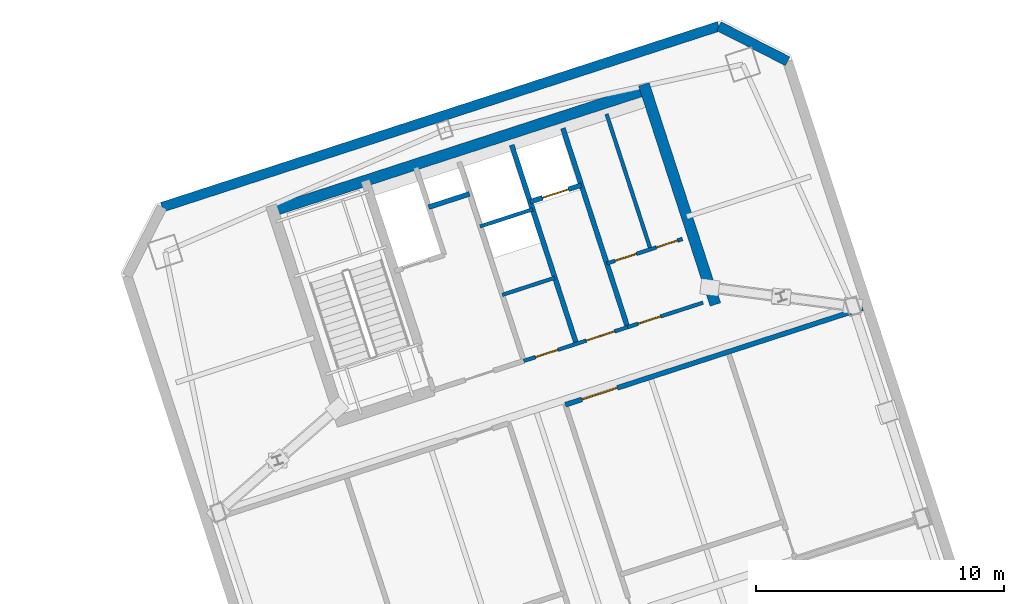
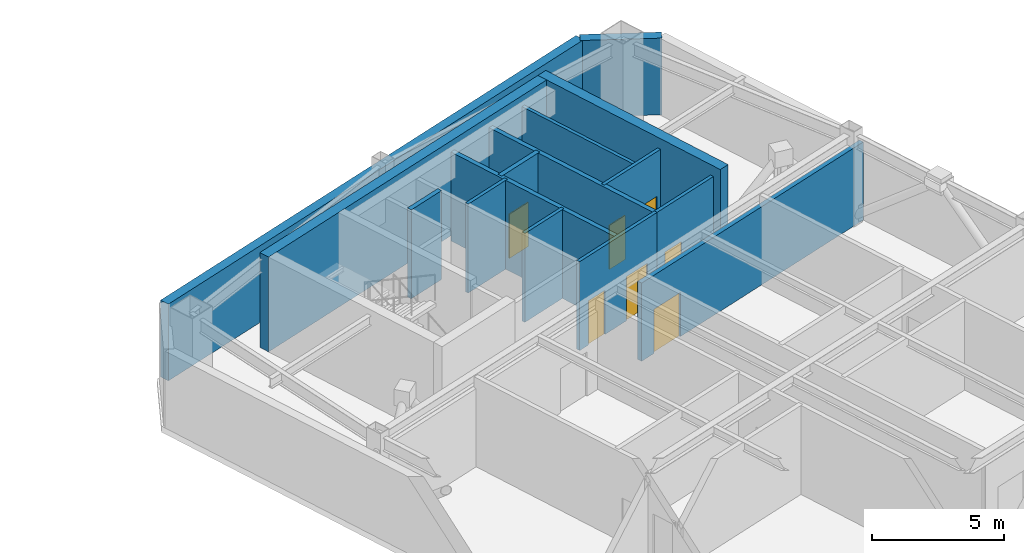
# One storey, part 14 of 17: 15 walls, 7 doors, 7 openings.
"""IFC4 building model written with IfcOpenShell, lengths in metres."""

import ifcopenshell
import ifcopenshell.guid

model = None  # the IFC model being written
_history = None  # IfcOwnerHistory: only IFC2X3 demands one
_inside = {}  # id of a spatial element -> (the spatial element, [elements in it])
_under = {}  # id of a project, library or spatial element -> (it, [spatial elements below it])
_declared = {}  # id of a project -> (the project, [libraries it declares])
_typed = {}  # id of a type object -> (the type object, [elements of that type])
_made_of = {}  # id of a material, layer set ... -> (it, [elements and type objects made of it])


def new_model(schema):
    """Start an empty IFC model of exactly this schema.

    Asked for "IFC4X3", IfcOpenShell would pick the latest addendum, in which some entities
    have other attributes; the version numbers below select the first issue.
    IFC2X3 requires an IfcOwnerHistory on every rooted entity: one is made here for all.
    """
    global model, _history
    if schema == "IFC4X3":
        model = ifcopenshell.file(schema_version=(4, 3, 0, 0))
    else:
        model = ifcopenshell.file(schema=schema)
    _inside.clear()
    _under.clear()
    _declared.clear()
    _typed.clear()
    _made_of.clear()
    _history = None
    if model.schema == "IFC2X3":
        org = make("IfcOrganization", Name="unknown")
        user = make(
            "IfcPersonAndOrganization",
            ThePerson=make("IfcPerson", FamilyName="unknown"),
            TheOrganization=org,
        )
        app = make(
            "IfcApplication",
            ApplicationDeveloper=org,
            Version="unknown",
            ApplicationFullName="unknown",
            ApplicationIdentifier="unknown",
        )
        _history = make(
            "IfcOwnerHistory",
            OwningUser=user,
            OwningApplication=app,
            ChangeAction="ADDED",
            CreationDate=0,
        )
    return model


def make(cls, **values):
    """One entity of the class cls with the attributes given. An attribute that is None is left unset."""
    return model.create_entity(
        cls, **{name: value for name, value in values.items() if value is not None}
    )


def rooted(cls, **values):
    """An entity with a GlobalId (a new one), such as an element, a storey or a relation."""
    return make(cls, GlobalId=ifcopenshell.guid.new(), OwnerHistory=_history, **values)


def si_unit(unit_type, name, prefix=None):
    """IfcSIUnit, for example si_unit("LENGTHUNIT", "METRE", prefix="MILLI")."""
    return make("IfcSIUnit", UnitType=unit_type, Prefix=prefix, Name=name)


def assignment(units):
    """IfcUnitAssignment: the units of a project."""
    return None if units is None else make("IfcUnitAssignment", Units=units)


def point(xyz):
    """IfcCartesianPoint."""
    return None if xyz is None else make("IfcCartesianPoint", Coordinates=xyz)


def direction(xyz):
    """IfcDirection."""
    return None if xyz is None else make("IfcDirection", DirectionRatios=xyz)


def frame(location, z_axis=None, x_axis=None):
    """IfcAxis2Placement3D, a coordinate frame: its origin and axes. An axis left out is left unset."""
    return make(
        "IfcAxis2Placement3D",
        Location=point(location),
        Axis=direction(z_axis),
        RefDirection=direction(x_axis),
    )


def frame_2d(location, x_axis=None):
    """IfcAxis2Placement2D, a coordinate frame in the plane: its origin and x axis."""
    return make(
        "IfcAxis2Placement2D", Location=point(location), RefDirection=direction(x_axis)
    )


def origin():
    """The frame at (0, 0, 0) with its axes left unset."""
    return frame((0.0, 0.0, 0.0))


def place(relative_to, where):
    """IfcLocalPlacement: puts the frame where relative to a parent placement (None: the world)."""
    return make(
        "IfcLocalPlacement", PlacementRelTo=relative_to, RelativePlacement=where
    )


def context(
    kind, dimensions, precision=None, world=None, true_north=None, identifier=None
):
    """IfcGeometricRepresentationContext, for example the 3D "Model" context."""
    return make(
        "IfcGeometricRepresentationContext",
        ContextIdentifier=identifier,
        ContextType=kind,
        CoordinateSpaceDimension=dimensions,
        Precision=precision,
        WorldCoordinateSystem=world,
        TrueNorth=true_north,
    )


def subcontext(parent, identifier, kind, view, scale=None):
    """IfcGeometricRepresentationSubContext, for example "Body" below "Model"."""
    return make(
        "IfcGeometricRepresentationSubContext",
        ContextIdentifier=identifier,
        ContextType=kind,
        ParentContext=parent,
        TargetScale=scale,
        TargetView=view,
    )


def project(units=None, contexts=None):
    """IfcProject with its units and contexts."""
    return rooted(
        "IfcProject",
        Name="project",
        RepresentationContexts=contexts,
        UnitsInContext=assignment(units),
    )


def spatial(cls, under=None, at=None, **own):
    """A site, building, storey or space (cls), placed at a placement, below another one or the project."""
    s = rooted(cls, ObjectPlacement=at, **own)
    if under is not None:
        _under.setdefault(under.id(), (under, []))[1].append(s)
    return s


def profile(cls, at=None, kind="AREA", **sizes):
    """A parametric profile (cls). Its sizes go by their IFC names, for example OverallWidth=200.0."""
    return make(cls, ProfileType=kind, Position=at, **sizes)


def rectangle(**sizes):
    """IfcRectangleProfileDef."""
    return profile("IfcRectangleProfileDef", **sizes)


def extrude(swept, where, along, depth):
    """IfcExtrudedAreaSolid: the profile swept, set in the frame where, extruded along a direction by depth."""
    return make(
        "IfcExtrudedAreaSolid",
        SweptArea=swept,
        Position=where,
        ExtrudedDirection=direction(along),
        Depth=depth,
    )


def shape(context_of_items, identifier, shape_type, items):
    """IfcShapeRepresentation: the items that make up one representation, for example the "Body"."""
    return make(
        "IfcShapeRepresentation",
        ContextOfItems=context_of_items,
        RepresentationIdentifier=identifier,
        RepresentationType=shape_type,
        Items=items,
    )


def material(Name=None, Category=None):
    """IfcMaterial."""
    return make("IfcMaterial", Name=Name, Category=Category)


def layer(
    of_material, thickness, ventilated=None, Name=None, Category=None, Priority=None
):
    """IfcMaterialLayer: one layer of a wall or slab, of a material (None: an air gap)."""
    return make(
        "IfcMaterialLayer",
        Material=of_material,
        LayerThickness=thickness,
        IsVentilated=ventilated,
        Name=Name,
        Category=Category,
        Priority=Priority,
    )


def layer_set(layers, Name=None):
    """IfcMaterialLayerSet."""
    return make("IfcMaterialLayerSet", MaterialLayers=layers, LayerSetName=Name)


def made_of(thing, what):
    """Note that an element or type object is made of a material, layer set ...; save() writes the relation."""
    if what is not None:
        _made_of.setdefault(what.id(), (what, []))[1].append(thing)
    return thing


def type_object(cls, material=None, **own):
    """A type object (cls), such as IfcWallType, which elements share."""
    return made_of(rooted(cls, **own), material)


def element(
    cls,
    number,
    at=None,
    inside=None,
    cuts=None,
    type_object=None,
    material=None,
    context=None,
    identifier="Body",
    shape_type=None,
    held_by="IfcProductDefinitionShape",
    body=None,
    shapes=None,
    **own,
):
    """One element of the class cls, such as IfcWall. Its Tag is "e" and its number.

    at: its placement. inside: the storey or other place that contains it. cuts: it is an
    opening in that element (IfcRelVoidsElement). A single representation is given by context,
    identifier, shape_type and body (its items); several are given by shapes. held_by: the class
    of the entity that holds the representations. save() writes the other relations.
    """
    e = rooted(cls, Tag="e%d" % number, ObjectPlacement=at, **own)
    if body is not None:
        shapes = [shape(context, identifier, shape_type, body)]
    if shapes is not None:
        e.Representation = make(held_by, Representations=shapes)
    if inside is not None:
        _inside.setdefault(inside.id(), (inside, []))[1].append(e)
    if cuts is not None:
        rooted(
            "IfcRelVoidsElement", RelatingBuildingElement=cuts, RelatedOpeningElement=e
        )
    if type_object is not None:
        _typed.setdefault(type_object.id(), (type_object, []))[1].append(e)
    return made_of(e, material)


def fill(opening, filler):
    """IfcRelFillsElement: the door or window that sits in an opening."""
    return rooted(
        "IfcRelFillsElement",
        RelatingOpeningElement=opening,
        RelatedBuildingElement=filler,
    )


def aggregate(whole, parts):
    """IfcRelAggregates: a whole, such as a stair, and the parts it consists of."""
    return rooted("IfcRelAggregates", RelatingObject=whole, RelatedObjects=parts)


def save(model, path):
    """Write the relations noted so far, then the file.

    IfcRelAggregates (storeys below a building ...), IfcRelContainedInSpatialStructure (elements
    in a storey), IfcRelDefinesByType, IfcRelAssociatesMaterial and IfcRelDeclares: one each for
    every whole, place, type object, material and project.
    """
    for whole, parts in _under.values():
        aggregate(whole, parts)
    for where, things in _inside.values():
        rooted(
            "IfcRelContainedInSpatialStructure",
            RelatedElements=things,
            RelatingStructure=where,
        )
    for kind, things in _typed.values():
        rooted("IfcRelDefinesByType", RelatedObjects=things, RelatingType=kind)
    for what, things in _made_of.values():
        rooted("IfcRelAssociatesMaterial", RelatedObjects=things, RelatingMaterial=what)
    for by, libraries in _declared.values():
        rooted("IfcRelDeclares", RelatingContext=by, RelatedDefinitions=libraries)
    model.write(path)


model = new_model("IFC4")

# Units and contexts
model_context = context("Model", 3, precision=1e-05, world=origin(), true_north=direction((0.0, 1.0)))
body_context = subcontext(model_context, "Body", "Model", "MODEL_VIEW")
ifc_project = project(units=[si_unit("LENGTHUNIT", "METRE"), si_unit("AREAUNIT", "SQUARE_METRE"), si_unit("VOLUMEUNIT", "CUBIC_METRE"), si_unit("PLANEANGLEUNIT", "RADIAN"), si_unit("MASSUNIT", "GRAM", prefix="KILO")], contexts=[model_context])

# Site, building, storey
site_placement = place(None, origin())
site = spatial("IfcSite", under=ifc_project, at=site_placement, CompositionType="ELEMENT")
building_placement = place(site_placement, origin())
building = spatial("IfcBuilding", under=site, at=building_placement, Name="Qiaolan Cultural Towers", CompositionType="ELEMENT")
storey_placement = place(building_placement, frame((0.0, 0.0, 230.0)))
storey = spatial("IfcBuildingStorey", under=building, at=storey_placement, Name="L62", CompositionType="ELEMENT", Elevation=230.0)

# Walls
ifc_material_1 = material(Name="Concrete C50", Category="concrete")
ifc_layer_1 = layer(ifc_material_1, 0.449951171875)
ifc_layer_set_1 = layer_set([ifc_layer_1], Name="Concrete C50")
wall_type_1 = type_object("IfcWallType", Name="WL-CORE-450", PredefinedType="SHEAR", material=ifc_layer_set_1)
wall_1_placement = place(storey_placement, frame((76.414794921875, 50.489013671875, 0.0), z_axis=(0.0, 0.0, 1.0), x_axis=(0.951056810414, 0.309016089169, 0.0)))
element("IfcWall", 1, at=wall_1_placement, inside=storey, type_object=wall_type_1, Name="L62 T2-CN Outer Core Shear Wall", PredefinedType="SHEAR", context=body_context, shape_type="SweptSolid", body=[
    extrude(rectangle(XDim=16.25, YDim=0.449951171875, at=frame_2d((8.125, 0.0))), origin(), (0.0, 0.0, 1.0), 4.39990234375),
])
wall_2_placement = place(storey_placement, frame((94.468994140625, 46.781494140625, 0.0), z_axis=(0.0, 0.0, 1.0), x_axis=(-0.309004419953, 0.951060601881, 0.0)))
element("IfcWall", 2, at=wall_2_placement, inside=storey, type_object=wall_type_1, Name="L62 T2-CN East Core Shear Wall", PredefinedType="SHEAR", context=body_context, shape_type="SweptSolid", body=[
    extrude(rectangle(XDim=9.330078125, YDim=0.449951171875, at=frame_2d((4.6650390625, 0.0))), origin(), (0.0, 0.0, 1.0), 4.39990234375),
])
ifc_material_2 = material(Name="Precast Concrete C50 Honed Stone Pier", Category="masonry")
ifc_layer_2 = layer(ifc_material_2, 0.39990234375)
ifc_layer_set_2 = layer_set([ifc_layer_2], Name="Precast Concrete C50 Honed Stone Pier")
wall_type_2 = type_object("IfcWallType", Name="WL-EXT-PIER-400", PredefinedType="SOLIDWALL", material=ifc_layer_set_2)
wall_3_placement = place(storey_placement, frame((72.16455078125, 50.706298828125, 0.0), z_axis=(0.0, 0.0, 1.0), x_axis=(0.951058012937, 0.309012388148, 0.0)))
element("IfcWall", 3, at=wall_3_placement, inside=storey, type_object=wall_type_2, Name="L62 East Tower Precast Pier Facade Wall F3", PredefinedType="SOLIDWALL", context=body_context, shape_type="SweptSolid", body=[
    extrude(rectangle(XDim=23.60009765625, YDim=0.39990234375, at=frame_2d((11.800048828125, 0.0))), origin(), (0.0, 0.0, 1.0), 3.56005859375),
])
wall_4_placement = place(storey_placement, frame((94.609619140625, 57.9990234375, 0.0), z_axis=(0.0, 0.0, 1.0), x_axis=(0.890979603174, -0.454043331334, 0.0)))
element("IfcWall", 4, at=wall_4_placement, inside=storey, type_object=wall_type_2, Name="L62 East Tower Precast Pier Facade Wall F4", PredefinedType="SOLIDWALL", context=body_context, shape_type="SweptSolid", body=[
    extrude(rectangle(XDim=3.111083984375, YDim=0.39990234375, at=frame_2d((1.5556640625, 0.0))), origin(), (0.0, 0.0, 1.0), 3.56005859375),
])
ifc_material_3 = material(Name="Concrete C35 Fire Wall", Category="concrete")
ifc_layer_3 = layer(ifc_material_3, 0.199951171875)
ifc_layer_set_3 = layer_set([ifc_layer_3], Name="Concrete C35 Fire Wall")
wall_type_3 = type_object("IfcWallType", Name="WL-FIRE-200", PredefinedType="PARTITIONING", material=ifc_layer_set_3)
wall_5_placement = place(storey_placement, frame((82.910400390625, 50.706787109375, 0.0), z_axis=(0.0, 0.0, 1.0), x_axis=(0.951041328149, 0.309063734775, 0.0)))
element("IfcWall", 5, at=wall_5_placement, inside=storey, type_object=wall_type_3, Name="L62 T2-CN Pressurization Shaft Front Wall", PredefinedType="PARTITIONING", context=body_context, shape_type="SweptSolid", body=[
    extrude(rectangle(XDim=1.72998046875, YDim=0.199951171875, at=frame_2d((0.864990234375, 0.0))), origin(), (0.0, 0.0, 1.0), 4.125),
])
wall_6_placement = place(storey_placement, frame((90.92822265625, 45.86767578125, 0.0), z_axis=(0.0, 0.0, 1.0), x_axis=(-0.309042196757, 0.951048327176, 0.0)))
element("IfcWall", 6, at=wall_6_placement, inside=storey, type_object=wall_type_3, Name="L62 T2-CN Lift Core East Wall", PredefinedType="PARTITIONING", context=body_context, shape_type="SweptSolid", body=[
    extrude(rectangle(XDim=8.429931640625, YDim=0.199951171875, at=frame_2d((4.21484375, 0.0))), origin(), (0.0, 0.0, 1.0), 4.125),
])
wall_7_placement = place(storey_placement, frame((88.8642578125, 45.197021484375, 0.0), z_axis=(0.0, 0.0, 1.0), x_axis=(-0.309007490203, 0.951059604335, 0.0)))
element("IfcWall", 7, at=wall_7_placement, inside=storey, type_object=wall_type_3, Name="L62 T2-CN Sky Shuttle Lift Zone Wall", PredefinedType="PARTITIONING", context=body_context, shape_type="SweptSolid", body=[
    extrude(rectangle(XDim=8.43017578125, YDim=0.199951171875, at=frame_2d((4.215087890625, 0.0))), origin(), (0.0, 0.0, 1.0), 4.125),
])

# Wall, opening, door
wall_8_placement = place(storey_placement, frame((87.004150390625, 50.92236328125, 0.0), z_axis=(0.0, 0.0, 1.0), x_axis=(0.951041509718, 0.309063176055, 0.0)))
wall_8 = element("IfcWall", 8, at=wall_8_placement, inside=storey, type_object=wall_type_3, Name="L62 T2-CN Shuttle Lift Shaft Front", PredefinedType="PARTITIONING", context=body_context, shape_type="SweptSolid", body=[
    extrude(rectangle(XDim=2.169921875, YDim=0.199951171875, at=frame_2d((1.0849609375, 0.0))), origin(), (0.0, 0.0, 1.0), 4.125),
])
opening_1_placement = place(wall_8_placement, frame((0.52001953125, 0.0, 0.0)))
opening_1 = element("IfcOpeningElement", 9, at=opening_1_placement, cuts=wall_8, Name="Opening LD-01", PredefinedType="OPENING", context=body_context, shape_type="SweptSolid", body=[
    extrude(rectangle(XDim=1.10009765625, YDim=2.050048828125, at=frame_2d((0.550048828125, 1.02490234375))), frame((0.0, 0.10986328125, 0.0), z_axis=(0.0, -1.0, 0.0), x_axis=(1.0, 0.0, 0.0)), (0.0, 0.0, 1.0), 0.219970703125),
])
ifc_material_4 = material(Name="Brushed Stainless Steel S30408 Centre-Parting Lift Landing Door", Category="steel")
door_type_1 = type_object("IfcDoorType", Name="DR-LIFT-1100", OperationType="NOTDEFINED", PredefinedType="DOOR", material=ifc_material_4)
door_1_placement = place(opening_1_placement, origin())
door_1 = element("IfcDoor", 10, at=door_1_placement, inside=storey, type_object=door_type_1, Name="L62 Sky Shuttle Lift Landing Door", OperationType="DOUBLE_DOOR_SLIDING", OverallHeight=2.050048828125, OverallWidth=1.10009765625, PredefinedType="DOOR", context=body_context, shape_type="SweptSolid", body=[
    extrude(rectangle(XDim=1.10009765625, YDim=2.050048828125, at=frame_2d((0.550048828125, 1.02490234375))), frame((0.0, 0.02490234375, 0.0), z_axis=(0.0, -1.0, 0.0), x_axis=(1.0, 0.0, 0.0)), (0.0, 0.0, 1.0), 0.050048828125),
])
fill(opening_1, door_1)

wall_9_placement = place(storey_placement, frame((88.421875, 42.740234375, 0.0), z_axis=(0.0, 0.0, 1.0), x_axis=(0.951058557014, 0.309010713619, 0.0)))
wall_9 = element("IfcWall", 11, at=wall_9_placement, inside=storey, type_object=wall_type_3, Name="L62 T2 Fire Rated Plant/Refuge Wall NBE", PredefinedType="PARTITIONING", context=body_context, shape_type="SweptSolid", body=[
    extrude(rectangle(XDim=12.60009765625, YDim=0.199951171875, at=frame_2d((6.300048828125, 0.0))), origin(), (0.0, 0.0, 1.0), 3.626953125),
])
opening_2_placement = place(wall_9_placement, frame((0.699951171875, 0.0, 0.0)))
opening_2 = element("IfcOpeningElement", 12, at=opening_2_placement, cuts=wall_9, Name="Opening FD-02", PredefinedType="OPENING", context=body_context, shape_type="SweptSolid", body=[
    extrude(rectangle(XDim=1.5, YDim=2.050048828125, at=frame_2d((0.75, 1.02490234375))), frame((0.0, 0.10986328125, 0.0), z_axis=(0.0, -1.0, 0.0), x_axis=(1.0, 0.0, 0.0)), (0.0, 0.0, 1.0), 0.219970703125),
])
ifc_material_5 = material(Name="Galvanized Steel Double Fire Door", Category="steel")
door_type_2 = type_object("IfcDoorType", Name="DR-FD90-1500", OperationType="NOTDEFINED", PredefinedType="DOOR", material=ifc_material_5)
door_2_placement = place(opening_2_placement, origin())
door_2 = element("IfcDoor", 13, at=door_2_placement, inside=storey, type_object=door_type_2, Name="L62 T2 East North Refuge Fire Door", OperationType="SINGLE_SWING_RIGHT", OverallHeight=2.050048828125, OverallWidth=1.5, PredefinedType="DOOR", context=body_context, shape_type="SweptSolid", body=[
    extrude(rectangle(XDim=1.5, YDim=2.050048828125, at=frame_2d((0.75, 1.02490234375))), frame((0.0, 0.02490234375, 0.0), z_axis=(0.0, -1.0, 0.0), x_axis=(1.0, 0.0, 0.0)), (0.0, 0.0, 1.0), 0.050048828125),
])
fill(opening_2, door_2)

# Wall, openings, doors
ifc_material_6 = material(Name="Autoclaved Aerated Concrete Block B06", Category="concrete")
ifc_layer_4 = layer(ifc_material_6, 0.14990234375)
ifc_layer_set_4 = layer_set([ifc_layer_4], Name="Autoclaved Aerated Concrete Block B06")
wall_type_4 = type_object("IfcWallType", Name="WL-PART-150", PredefinedType="PARTITIONING", material=ifc_layer_set_4)
wall_10_placement = place(storey_placement, frame((86.743408203125, 44.508056640625, 0.0), z_axis=(0.0, 0.0, 1.0), x_axis=(0.951063829732, 0.308994485023, 0.0)))
wall_10 = element("IfcWall", 14, at=wall_10_placement, inside=storey, type_object=wall_type_4, Name="L62 T2-CN High-Zone Lift Lobby Wall", PredefinedType="PARTITIONING", context=body_context, shape_type="SweptSolid", body=[
    extrude(rectangle(XDim=4.400146484375, YDim=0.14990234375, at=frame_2d((2.2001953125, 0.0))), origin(), (0.0, 0.0, 1.0), 4.125),
])
opening_3_placement = place(wall_10_placement, frame((0.5, 0.0, 0.0)))
opening_3 = element("IfcOpeningElement", 15, at=opening_3_placement, cuts=wall_10, Name="Opening ID-05", PredefinedType="OPENING", context=body_context, shape_type="SweptSolid", body=[
    extrude(rectangle(XDim=0.949951171875, YDim=2.050048828125, at=frame_2d((0.47509765625, 1.02490234375))), frame((0.0, 0.0849609375, 0.0), z_axis=(0.0, -1.0, 0.0), x_axis=(1.0, 0.0, 0.0)), (0.0, 0.0, 1.0), 0.169921875),
])
opening_4_placement = place(wall_10_placement, frame((2.64990234375, 0.0, 0.0)))
opening_4 = element("IfcOpeningElement", 16, at=opening_4_placement, cuts=wall_10, Name="Opening FD-06", PredefinedType="OPENING", context=body_context, shape_type="SweptSolid", body=[
    extrude(rectangle(XDim=1.199951171875, YDim=2.050048828125, at=frame_2d((0.60009765625, 1.02490234375))), frame((0.0, 0.0849609375, 0.0), z_axis=(0.0, -1.0, 0.0), x_axis=(1.0, 0.0, 0.0)), (0.0, 0.0, 1.0), 0.169921875),
])
ifc_material_7 = material(Name="Painted Steel Plant Fire Door", Category="steel")
door_type_3 = type_object("IfcDoorType", Name="DR-FD60-1200", OperationType="NOTDEFINED", PredefinedType="DOOR", material=ifc_material_7)
door_3_placement = place(opening_4_placement, origin())
door_3 = element("IfcDoor", 17, at=door_3_placement, inside=storey, type_object=door_type_3, Name="L62 Sky Shuttle Lift Lobby Door", OperationType="SINGLE_SWING_RIGHT", OverallHeight=2.050048828125, OverallWidth=1.199951171875, PredefinedType="DOOR", context=body_context, shape_type="SweptSolid", body=[
    extrude(rectangle(XDim=1.199951171875, YDim=2.050048828125, at=frame_2d((0.60009765625, 1.02490234375))), frame((0.0, 0.02490234375, 0.0), z_axis=(0.0, -1.0, 0.0), x_axis=(1.0, 0.0, 0.0)), (0.0, 0.0, 1.0), 0.050048828125),
])
fill(opening_4, door_3)
ifc_material_8 = material(Name="Fire-Rated Laminate Accessible Core Door", Category="timber")
door_type_4 = type_object("IfcDoorType", Name="DR-INT-950", OperationType="NOTDEFINED", PredefinedType="DOOR", material=ifc_material_8)
door_4_placement = place(opening_3_placement, origin())
door_4 = element("IfcDoor", 18, at=door_4_placement, inside=storey, type_object=door_type_4, Name="L62 Reclaimed Server Room Door", OperationType="SINGLE_SWING_LEFT", OverallHeight=2.050048828125, OverallWidth=0.949951171875, PredefinedType="DOOR", context=body_context, shape_type="SweptSolid", body=[
    extrude(rectangle(XDim=0.949951171875, YDim=2.050048828125, at=frame_2d((0.47509765625, 1.02490234375))), frame((0.0, 0.02490234375, 0.0), z_axis=(0.0, -1.0, 0.0), x_axis=(1.0, 0.0, 0.0)), (0.0, 0.0, 1.0), 0.050048828125),
])
fill(opening_3, door_4)

# Walls
for number, where, z_axis, x_axis, name in (
    (19, (85.878173828125, 47.1708984375, 0.0), (0.0, 0.0, 1.0), (0.951042918244, 0.309058841741, 0.0), "L62 T2-CN High-Zone Reclaimed Split 1"),
    (20, (84.982177734375, 49.928955078125, 0.0), (0.0, 0.0, 1.0), (0.951042918244, 0.309058841741, 0.0), "L62 T2-CN High-Zone Reclaimed Split 2"),
):
    element("IfcWall", number, at=place(storey_placement, frame(where, z_axis=z_axis, x_axis=x_axis)), inside=storey, type_object=wall_type_4, Name=name, PredefinedType="PARTITIONING", context=body_context, shape_type="SweptSolid", body=[
        extrude(rectangle(XDim=2.22998046875, YDim=0.14990234375, at=frame_2d((1.114990234375, 0.0))), origin(), (0.0, 0.0, 1.0), 4.125),
    ])

# Wall, opening, door
wall_11_placement = place(storey_placement, frame((90.92822265625, 45.86767578125, 0.0), z_axis=(0.0, 0.0, 1.0), x_axis=(0.951059297078, 0.309008435874, 0.0)))
wall_11 = element("IfcWall", 21, at=wall_11_placement, inside=storey, type_object=wall_type_4, Name="L62 T2-CN Sanitary Core Front Wall", PredefinedType="PARTITIONING", context=body_context, shape_type="SweptSolid", body=[
    extrude(rectangle(XDim=3.19970703125, YDim=0.14990234375, at=frame_2d((1.599853515625, 0.0))), origin(), (0.0, 0.0, 1.0), 4.125),
])
opening_5_placement = place(wall_11_placement, frame((0.449951171875, 0.0, 0.0)))
opening_5 = element("IfcOpeningElement", 22, at=opening_5_placement, cuts=wall_11, Name="Opening ID-05", PredefinedType="OPENING", context=body_context, shape_type="SweptSolid", body=[
    extrude(rectangle(XDim=0.949951171875, YDim=2.050048828125, at=frame_2d((0.47509765625, 1.02490234375))), frame((0.0, 0.0849609375, 0.0), z_axis=(0.0, -1.0, 0.0), x_axis=(1.0, 0.0, 0.0)), (0.0, 0.0, 1.0), 0.169921875),
])
door_5_placement = place(opening_5_placement, origin())
door_5 = element("IfcDoor", 23, at=door_5_placement, inside=storey, type_object=door_type_4, Name="L62 Sanitary Vestibule Door", OperationType="SINGLE_SWING_LEFT", OverallHeight=2.050048828125, OverallWidth=0.949951171875, PredefinedType="DOOR", context=body_context, shape_type="SweptSolid", body=[
    extrude(rectangle(XDim=0.949951171875, YDim=2.050048828125, at=frame_2d((0.47509765625, 1.02490234375))), frame((0.0, 0.02490234375, 0.0), z_axis=(0.0, -1.0, 0.0), x_axis=(1.0, 0.0, 0.0)), (0.0, 0.0, 1.0), 0.050048828125),
])
fill(opening_5, door_5)

# Wall, openings, doors
wall_12_placement = place(storey_placement, frame((90.09375, 48.435546875, 0.0), z_axis=(0.0, 0.0, 1.0), x_axis=(0.951066581729, 0.308986014439, 0.0)))
wall_12 = element("IfcWall", 24, at=wall_12_placement, inside=storey, type_object=wall_type_4, Name="L62 T2-CN Restroom Vestibule Wall", PredefinedType="PARTITIONING", context=body_context, shape_type="SweptSolid", body=[
    extrude(rectangle(XDim=3.199951171875, YDim=0.14990234375, at=frame_2d((1.60009765625, 0.0))), origin(), (0.0, 0.0, 1.0), 4.125),
])
opening_6_placement = place(wall_12_placement, frame((0.35009765625, 0.0, 0.0)))
opening_6 = element("IfcOpeningElement", 25, at=opening_6_placement, cuts=wall_12, Name="Opening ID-06", PredefinedType="OPENING", context=body_context, shape_type="SweptSolid", body=[
    extrude(rectangle(XDim=0.89990234375, YDim=2.050048828125, at=frame_2d((0.449951171875, 1.02490234375))), frame((0.0, 0.0849609375, 0.0), z_axis=(0.0, -1.0, 0.0), x_axis=(1.0, 0.0, 0.0)), (0.0, 0.0, 1.0), 0.169921875),
])
opening_7_placement = place(wall_12_placement, frame((2.10009765625, 0.0, 0.0)))
opening_7 = element("IfcOpeningElement", 26, at=opening_7_placement, cuts=wall_12, Name="Opening ID-06", PredefinedType="OPENING", context=body_context, shape_type="SweptSolid", body=[
    extrude(rectangle(XDim=0.89990234375, YDim=2.050048828125, at=frame_2d((0.449951171875, 1.02490234375))), frame((0.0, 0.0849609375, 0.0), z_axis=(0.0, -1.0, 0.0), x_axis=(1.0, 0.0, 0.0)), (0.0, 0.0, 1.0), 0.169921875),
])
ifc_material_9 = material(Name="Fire-Rated Laminate Core Service Door", Category="timber")
door_type_5 = type_object("IfcDoorType", Name="DR-INT-900", OperationType="NOTDEFINED", PredefinedType="DOOR", material=ifc_material_9)
door_6_placement = place(opening_6_placement, origin())
door_6 = element("IfcDoor", 27, at=door_6_placement, inside=storey, type_object=door_type_5, Name="L62 Men Restroom Door", OperationType="SINGLE_SWING_LEFT", OverallHeight=2.050048828125, OverallWidth=0.89990234375, PredefinedType="DOOR", context=body_context, shape_type="SweptSolid", body=[
    extrude(rectangle(XDim=0.89990234375, YDim=2.050048828125, at=frame_2d((0.449951171875, 1.02490234375))), frame((0.0, 0.02490234375, 0.0), z_axis=(0.0, -1.0, 0.0), x_axis=(1.0, 0.0, 0.0)), (0.0, 0.0, 1.0), 0.050048828125),
])
fill(opening_6, door_6)
door_7_placement = place(opening_7_placement, origin())
door_7 = element("IfcDoor", 28, at=door_7_placement, inside=storey, type_object=door_type_5, Name="L62 Accessible & Women Restroom Door", OperationType="SINGLE_SWING_RIGHT", OverallHeight=2.050048828125, OverallWidth=0.89990234375, PredefinedType="DOOR", context=body_context, shape_type="SweptSolid", body=[
    extrude(rectangle(XDim=0.89990234375, YDim=2.050048828125, at=frame_2d((0.449951171875, 1.02490234375))), frame((0.0, 0.02490234375, 0.0), z_axis=(0.0, -1.0, 0.0), x_axis=(1.0, 0.0, 0.0)), (0.0, 0.0, 1.0), 0.050048828125),
])
fill(opening_7, door_7)

# Wall
wall_13_placement = place(storey_placement, frame((91.853271484375, 49.007080078125, 0.0), z_axis=(0.0, 0.0, 1.0), x_axis=(-0.309022487551, 0.951054731437, 0.0)))
element("IfcWall", 29, at=wall_13_placement, inside=storey, type_object=wall_type_4, Name="L62 T2-CN Restroom Divider Wall", PredefinedType="PARTITIONING", context=body_context, shape_type="SweptSolid", body=[
    extrude(rectangle(XDim=5.730224609375, YDim=0.14990234375, at=frame_2d((2.865234375, 0.0))), origin(), (0.0, 0.0, 1.0), 4.125),
])

save(model, "model.ifc")
